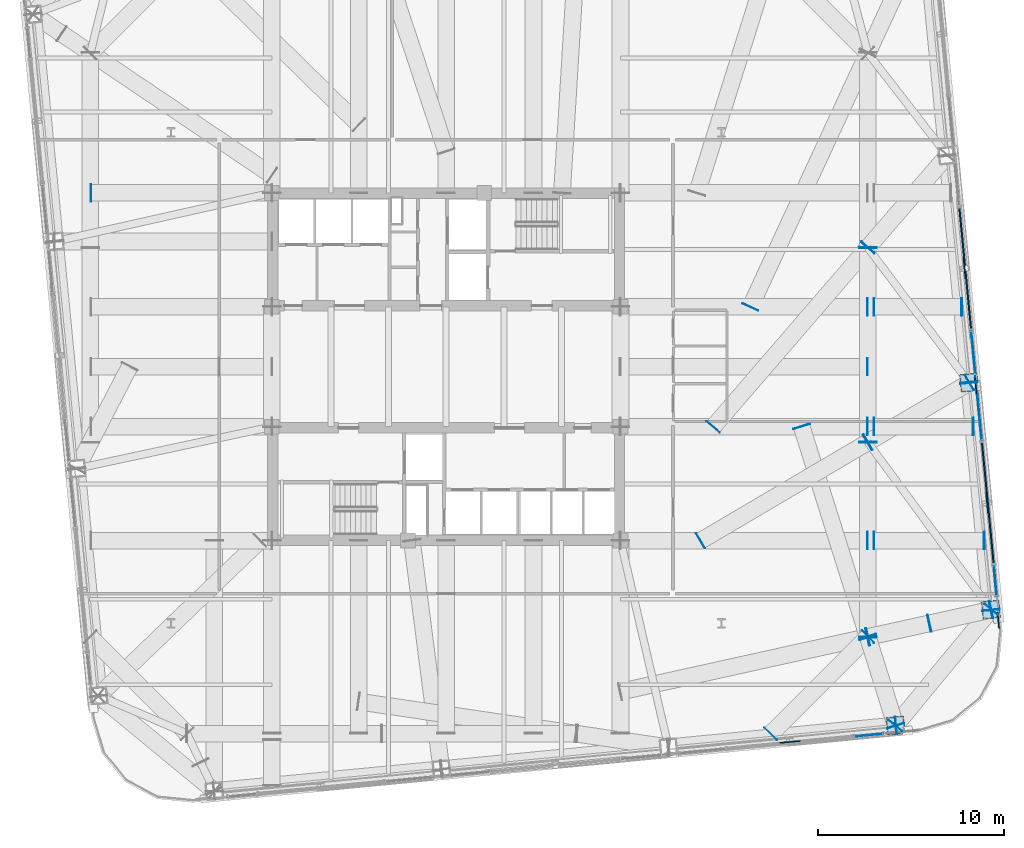
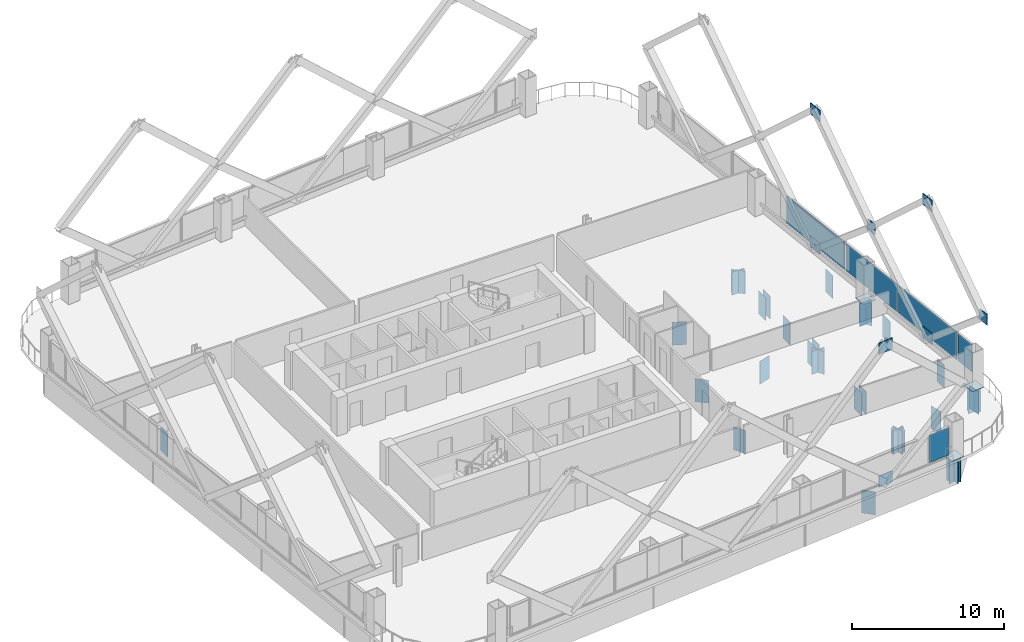
# One storey, part 35 of 42: 57 plates, 5 elements without a shape of their own.
"""IFC4 building model written with IfcOpenShell, lengths in metres."""

import ifcopenshell
import ifcopenshell.guid

model = None  # the IFC model being written
_history = None  # IfcOwnerHistory: only IFC2X3 demands one
_inside = {}  # id of a spatial element -> (the spatial element, [elements in it])
_under = {}  # id of a project, library or spatial element -> (it, [spatial elements below it])
_declared = {}  # id of a project -> (the project, [libraries it declares])
_typed = {}  # id of a type object -> (the type object, [elements of that type])
_made_of = {}  # id of a material, layer set ... -> (it, [elements and type objects made of it])


def new_model(schema):
    """Start an empty IFC model of exactly this schema.

    Asked for "IFC4X3", IfcOpenShell would pick the latest addendum, in which some entities
    have other attributes; the version numbers below select the first issue.
    IFC2X3 requires an IfcOwnerHistory on every rooted entity: one is made here for all.
    """
    global model, _history
    if schema == "IFC4X3":
        model = ifcopenshell.file(schema_version=(4, 3, 0, 0))
    else:
        model = ifcopenshell.file(schema=schema)
    _inside.clear()
    _under.clear()
    _declared.clear()
    _typed.clear()
    _made_of.clear()
    _history = None
    if model.schema == "IFC2X3":
        org = make("IfcOrganization", Name="unknown")
        user = make(
            "IfcPersonAndOrganization",
            ThePerson=make("IfcPerson", FamilyName="unknown"),
            TheOrganization=org,
        )
        app = make(
            "IfcApplication",
            ApplicationDeveloper=org,
            Version="unknown",
            ApplicationFullName="unknown",
            ApplicationIdentifier="unknown",
        )
        _history = make(
            "IfcOwnerHistory",
            OwningUser=user,
            OwningApplication=app,
            ChangeAction="ADDED",
            CreationDate=0,
        )
    return model


def make(cls, **values):
    """One entity of the class cls with the attributes given. An attribute that is None is left unset."""
    return model.create_entity(
        cls, **{name: value for name, value in values.items() if value is not None}
    )


def rooted(cls, **values):
    """An entity with a GlobalId (a new one), such as an element, a storey or a relation."""
    return make(cls, GlobalId=ifcopenshell.guid.new(), OwnerHistory=_history, **values)


def si_unit(unit_type, name, prefix=None):
    """IfcSIUnit, for example si_unit("LENGTHUNIT", "METRE", prefix="MILLI")."""
    return make("IfcSIUnit", UnitType=unit_type, Prefix=prefix, Name=name)


def assignment(units):
    """IfcUnitAssignment: the units of a project."""
    return None if units is None else make("IfcUnitAssignment", Units=units)


def point(xyz):
    """IfcCartesianPoint."""
    return None if xyz is None else make("IfcCartesianPoint", Coordinates=xyz)


def direction(xyz):
    """IfcDirection."""
    return None if xyz is None else make("IfcDirection", DirectionRatios=xyz)


def frame(location, z_axis=None, x_axis=None):
    """IfcAxis2Placement3D, a coordinate frame: its origin and axes. An axis left out is left unset."""
    return make(
        "IfcAxis2Placement3D",
        Location=point(location),
        Axis=direction(z_axis),
        RefDirection=direction(x_axis),
    )


def frame_2d(location, x_axis=None):
    """IfcAxis2Placement2D, a coordinate frame in the plane: its origin and x axis."""
    return make(
        "IfcAxis2Placement2D", Location=point(location), RefDirection=direction(x_axis)
    )


def origin():
    """The frame at (0, 0, 0) with its axes left unset."""
    return frame((0.0, 0.0, 0.0))


def origin_2d():
    """The frame at (0, 0) in the plane with its x axis left unset."""
    return frame_2d((0.0, 0.0))


def place(relative_to, where):
    """IfcLocalPlacement: puts the frame where relative to a parent placement (None: the world)."""
    return make(
        "IfcLocalPlacement", PlacementRelTo=relative_to, RelativePlacement=where
    )


def context(
    kind, dimensions, precision=None, world=None, true_north=None, identifier=None
):
    """IfcGeometricRepresentationContext, for example the 3D "Model" context."""
    return make(
        "IfcGeometricRepresentationContext",
        ContextIdentifier=identifier,
        ContextType=kind,
        CoordinateSpaceDimension=dimensions,
        Precision=precision,
        WorldCoordinateSystem=world,
        TrueNorth=true_north,
    )


def subcontext(parent, identifier, kind, view, scale=None):
    """IfcGeometricRepresentationSubContext, for example "Body" below "Model"."""
    return make(
        "IfcGeometricRepresentationSubContext",
        ContextIdentifier=identifier,
        ContextType=kind,
        ParentContext=parent,
        TargetScale=scale,
        TargetView=view,
    )


def project(units=None, contexts=None):
    """IfcProject with its units and contexts."""
    return rooted(
        "IfcProject",
        Name="project",
        RepresentationContexts=contexts,
        UnitsInContext=assignment(units),
    )


def spatial(cls, under=None, at=None, **own):
    """A site, building, storey or space (cls), placed at a placement, below another one or the project."""
    s = rooted(cls, ObjectPlacement=at, **own)
    if under is not None:
        _under.setdefault(under.id(), (under, []))[1].append(s)
    return s


def profile(cls, at=None, kind="AREA", **sizes):
    """A parametric profile (cls). Its sizes go by their IFC names, for example OverallWidth=200.0."""
    return make(cls, ProfileType=kind, Position=at, **sizes)


def rectangle(**sizes):
    """IfcRectangleProfileDef."""
    return profile("IfcRectangleProfileDef", **sizes)


def extrude(swept, where, along, depth):
    """IfcExtrudedAreaSolid: the profile swept, set in the frame where, extruded along a direction by depth."""
    return make(
        "IfcExtrudedAreaSolid",
        SweptArea=swept,
        Position=where,
        ExtrudedDirection=direction(along),
        Depth=depth,
    )


def shape(context_of_items, identifier, shape_type, items):
    """IfcShapeRepresentation: the items that make up one representation, for example the "Body"."""
    return make(
        "IfcShapeRepresentation",
        ContextOfItems=context_of_items,
        RepresentationIdentifier=identifier,
        RepresentationType=shape_type,
        Items=items,
    )


def material(Name=None, Category=None):
    """IfcMaterial."""
    return make("IfcMaterial", Name=Name, Category=Category)


def layer(
    of_material, thickness, ventilated=None, Name=None, Category=None, Priority=None
):
    """IfcMaterialLayer: one layer of a wall or slab, of a material (None: an air gap)."""
    return make(
        "IfcMaterialLayer",
        Material=of_material,
        LayerThickness=thickness,
        IsVentilated=ventilated,
        Name=Name,
        Category=Category,
        Priority=Priority,
    )


def layer_set(layers, Name=None):
    """IfcMaterialLayerSet."""
    return make("IfcMaterialLayerSet", MaterialLayers=layers, LayerSetName=Name)


def made_of(thing, what):
    """Note that an element or type object is made of a material, layer set ...; save() writes the relation."""
    if what is not None:
        _made_of.setdefault(what.id(), (what, []))[1].append(thing)
    return thing


def type_object(cls, material=None, **own):
    """A type object (cls), such as IfcWallType, which elements share."""
    return made_of(rooted(cls, **own), material)


def element(
    cls,
    number,
    at=None,
    inside=None,
    cuts=None,
    type_object=None,
    material=None,
    context=None,
    identifier="Body",
    shape_type=None,
    held_by="IfcProductDefinitionShape",
    body=None,
    shapes=None,
    **own,
):
    """One element of the class cls, such as IfcWall. Its Tag is "e" and its number.

    at: its placement. inside: the storey or other place that contains it. cuts: it is an
    opening in that element (IfcRelVoidsElement). A single representation is given by context,
    identifier, shape_type and body (its items); several are given by shapes. held_by: the class
    of the entity that holds the representations. save() writes the other relations.
    """
    e = rooted(cls, Tag="e%d" % number, ObjectPlacement=at, **own)
    if body is not None:
        shapes = [shape(context, identifier, shape_type, body)]
    if shapes is not None:
        e.Representation = make(held_by, Representations=shapes)
    if inside is not None:
        _inside.setdefault(inside.id(), (inside, []))[1].append(e)
    if cuts is not None:
        rooted(
            "IfcRelVoidsElement", RelatingBuildingElement=cuts, RelatedOpeningElement=e
        )
    if type_object is not None:
        _typed.setdefault(type_object.id(), (type_object, []))[1].append(e)
    return made_of(e, material)


def aggregate(whole, parts):
    """IfcRelAggregates: a whole, such as a stair, and the parts it consists of."""
    return rooted("IfcRelAggregates", RelatingObject=whole, RelatedObjects=parts)


def save(model, path):
    """Write the relations noted so far, then the file.

    IfcRelAggregates (storeys below a building ...), IfcRelContainedInSpatialStructure (elements
    in a storey), IfcRelDefinesByType, IfcRelAssociatesMaterial and IfcRelDeclares: one each for
    every whole, place, type object, material and project.
    """
    for whole, parts in _under.values():
        aggregate(whole, parts)
    for where, things in _inside.values():
        rooted(
            "IfcRelContainedInSpatialStructure",
            RelatedElements=things,
            RelatingStructure=where,
        )
    for kind, things in _typed.values():
        rooted("IfcRelDefinesByType", RelatedObjects=things, RelatingType=kind)
    for what, things in _made_of.values():
        rooted("IfcRelAssociatesMaterial", RelatedObjects=things, RelatingMaterial=what)
    for by, libraries in _declared.values():
        rooted("IfcRelDeclares", RelatingContext=by, RelatedDefinitions=libraries)
    model.write(path)


model = new_model("IFC4")

# Units and contexts
model_context = context("Model", 3, precision=1e-05, world=origin(), true_north=direction((0.0, 1.0)))
body_context = subcontext(model_context, "Body", "Model", "MODEL_VIEW")
ifc_project = project(units=[si_unit("LENGTHUNIT", "METRE"), si_unit("AREAUNIT", "SQUARE_METRE"), si_unit("VOLUMEUNIT", "CUBIC_METRE"), si_unit("PLANEANGLEUNIT", "RADIAN"), si_unit("MASSUNIT", "GRAM", prefix="KILO")], contexts=[model_context])

# Site, building, storey
site_placement = place(None, origin())
site = spatial("IfcSite", under=ifc_project, at=site_placement, CompositionType="ELEMENT")
building_placement = place(site_placement, origin())
building = spatial("IfcBuilding", under=site, at=building_placement, Name="Qhalaya Broadcast Tower", CompositionType="ELEMENT")
storey_placement = place(building_placement, frame((0.0, 0.0, 69.449951171875)))
storey = spatial("IfcBuildingStorey", under=building, at=storey_placement, Name="L19", CompositionType="ELEMENT", Elevation=69.449951171875)

# Plates
ifc_material_1 = material(Name="Structural Steel ASTM A572 Grade 50", Category="steel")
ifc_layer_1 = layer(ifc_material_1, 0.054931640625, Name="Structural Steel ASTM A572 Grade 50")
ifc_layer_set_1 = layer_set([ifc_layer_1], Name="Structural Steel ASTM A572 Grade 50")
plate_type_1 = type_object("IfcPlateType", Name="Exoskeleton Diamond Node Gusset Plate NP-01", PredefinedType="USERDEFINED", material=ifc_layer_set_1)
for number, where, z_axis, x_axis, name in (
    (1, (18.49072265625, -19.573486328125, 0.210205078125), (0.0, 0.0, 1.0), (0.995396198367, 0.09584575252, 0.0), "Exoskeleton Diamond Node B2-S3-BOT"),
    (2, (18.49072265625, -19.573486328125, 10.85009765625), (0.0, 0.0, 1.0), (0.995396198367, 0.09584575252, 0.0), "Exoskeleton Diamond Node B2-S3-TOP"),
    (3, (29.08154296875, -6.725830078125, 0.210205078125), (0.0, 0.0, 1.0), (-0.09584575252, 0.995396198367, 0.0), "Exoskeleton Diamond Node B2-E1-BOT"),
    (4, (29.08154296875, -6.725830078125, 10.85009765625), (0.0, 0.0, 1.0), (-0.09584575252, 0.995396198367, 0.0), "Exoskeleton Diamond Node B2-E1-TOP"),
):
    element("IfcPlate", number, at=place(storey_placement, frame(where, z_axis=z_axis, x_axis=x_axis)), inside=storey, type_object=plate_type_1, Name=name, ObjectType="GUSSET_PLATE", PredefinedType="USERDEFINED", context=body_context, shape_type="SweptSolid", body=[
        extrude(rectangle(XDim=1.10009765625, YDim=0.054931640625, at=origin_2d()), origin(), (0.0, 0.0, 1.0), 0.89990234375),
    ])
plate_1_placement = place(storey_placement, frame((29.688720703125, -13.030029296875, 5.31494140625), z_axis=(0.0, 0.0, 1.0), x_axis=(-0.09584575252, 0.995396198367, 0.0)))
element("IfcPlate", 5, at=plate_1_placement, inside=storey, type_object=plate_type_1, Name="Exoskeleton Diamond Node B2-E1-MDL", ObjectType="GUSSET_PLATE", PredefinedType="USERDEFINED", context=body_context, shape_type="SweptSolid", body=[
    extrude(rectangle(XDim=0.85009765625, YDim=0.054931640625, at=origin_2d()), origin(), (0.0, 0.0, 1.0), 0.85009765625),
])
for number, where, z_axis, x_axis, name in (
    (6, (27.867431640625, 5.882568359375, 0.210205078125), (0.0, 0.0, 1.0), (-0.09584575252, 0.995396198367, 0.0), "Exoskeleton Diamond Node B2-E2-BOT"),
    (7, (27.867431640625, 5.882568359375, 10.85009765625), (0.0, 0.0, 1.0), (-0.09584575252, 0.995396198367, 0.0), "Exoskeleton Diamond Node B2-E2-TOP"),
):
    element("IfcPlate", number, at=place(storey_placement, frame(where, z_axis=z_axis, x_axis=x_axis)), inside=storey, type_object=plate_type_1, Name=name, ObjectType="GUSSET_PLATE", PredefinedType="USERDEFINED", context=body_context, shape_type="SweptSolid", body=[
        extrude(rectangle(XDim=1.10009765625, YDim=0.054931640625, at=origin_2d()), origin(), (0.0, 0.0, 1.0), 0.89990234375),
    ])
plate_2_placement = place(storey_placement, frame((28.474609375, -0.421630859375, 5.31494140625), z_axis=(0.0, 0.0, 1.0), x_axis=(-0.09584575252, 0.995396198367, 0.0)))
element("IfcPlate", 8, at=plate_2_placement, inside=storey, type_object=plate_type_1, Name="Exoskeleton Diamond Node B2-E2-MDL", ObjectType="GUSSET_PLATE", PredefinedType="USERDEFINED", context=body_context, shape_type="SweptSolid", body=[
    extrude(rectangle(XDim=0.85009765625, YDim=0.054931640625, at=origin_2d()), origin(), (0.0, 0.0, 1.0), 0.85009765625),
])
ifc_layer_2 = layer(ifc_material_1, 0.4599609375, Name="Structural Steel ASTM A572 Grade 50")
ifc_layer_set_2 = layer_set([ifc_layer_2], Name="Structural Steel ASTM A572 Grade 50")
plate_type_2 = type_object("IfcPlateType", Name="Hollow Box Member End Cap Plate CP-01", PredefinedType="USERDEFINED", material=ifc_layer_set_2)
for number, where, z_axis, x_axis, name in (
    (9, (24.18115234375, -18.68408203125, -2.0400390625), (0.0, 0.0, 1.0), (-0.09584575252, 0.995396198367, 0.0), "L19 Hollow Girder End Cap L19-SPR-03-B"),
    (10, (24.155029296875, -18.69775390625, -2.0400390625), (0.0, 0.0, 1.0), (-0.771624583388, 0.636078220278, 0.0), "L19 Hollow Girder End Cap L19-SPR-04-A"),
    (11, (29.302734375, -12.453125, -2.0400390625), (0.0, 0.0, 1.0), (-0.771624583388, 0.636078220278, 0.0), "L19 Hollow Girder End Cap L19-SPR-04-B"),
    (12, (29.294189453125, -12.481201171875, -2.0400390625), (0.0, 0.0, 1.0), (-0.995396198367, -0.09584575252, 0.0), "L19 Hollow Girder End Cap L19-SPR-05-A"),
    (13, (28.115478515625, -0.2392578125, -2.0400390625), (0.0, 0.0, 1.0), (-0.995396198367, -0.09584575252, 0.0), "L19 Hollow Girder End Cap L19-SPR-05-B"),
    (14, (28.118408203125, -0.27099609375, -2.0400390625), (0.0, 0.0, 1.0), (-0.995396198367, -0.09584575252, 0.0), "L19 Hollow Girder End Cap L19-SPR-06-A"),
    (15, (17.458740234375, -19.141357421875, -2.0400390625), (0.0, 0.0, 1.0), (-0.707106781187, 0.707106781187, 0.0), "L19 Hollow Girder End Cap L19-TGL-04-A"),
    (16, (22.681396484375, -13.918701171875, -2.0400390625), (0.0, 0.0, 1.0), (-0.707106781187, 0.707106781187, 0.0), "L19 Hollow Girder End Cap L19-TGL-04-B"),
    (17, (22.669921875, -13.946044921875, -2.0400390625), (0.0, 0.0, 1.0), (-1.0, 0.0, 0.0), "L19 Hollow Girder End Cap L19-TGL-05-A"),
    (18, (22.669921875, -3.447265625, -2.0400390625), (0.0, 0.0, 1.0), (-1.0, 0.0, 0.0), "L19 Hollow Girder End Cap L19-TGL-05-B"),
    (19, (22.669921875, -3.479248046875, -2.0400390625), (0.0, 0.0, 1.0), (-1.0, 0.0, 0.0), "L19 Hollow Girder End Cap L19-TGL-06-A"),
    (20, (22.669921875, 7.019287109375, -2.0400390625), (0.0, 0.0, 1.0), (-1.0, 0.0, 0.0), "L19 Hollow Girder End Cap L19-TGL-06-B"),
    (21, (22.669921875, 6.9873046875, -2.0400390625), (0.0, 0.0, 1.0), (-1.0, 0.0, 0.0), "L19 Hollow Girder End Cap L19-TGL-07-A"),
    (22, (22.64599609375, 0.60009765625, -2.0400390625), (0.0, 0.0, 1.0), (0.0, 1.0, 0.0), "L19 Hollow Girder End Cap L19-TGIYE-1-B"),
    (23, (22.64599609375, -8.75, -2.0400390625), (0.0, 0.0, 1.0), (0.0, 1.0, 0.0), "L19 Hollow Girder End Cap L19-TGIY1E-1-B"),
    (24, (22.64599609375, -2.625, -2.0400390625), (0.0, 0.0, 1.0), (0.0, 1.0, 0.0), "L19 Hollow Girder End Cap L19-TGIY2E-1-B"),
    (25, (22.64599609375, 3.824951171875, -2.0400390625), (0.0, 0.0, 1.0), (0.0, 1.0, 0.0), "L19 Hollow Girder End Cap L19-TGIY3E-1-B"),
    (26, (-19.10595703125, 9.949951171875, -2.0400390625), (0.0, 0.0, 1.0), (0.0, 1.0, 0.0), "L19 Hollow Girder End Cap L19-TGIY4W-1-A"),
    (27, (19.110595703125, -2.609619140625, -2.0400390625), (0.0, 0.0, 1.0), (0.953958065442, 0.299940009631, 0.0), "L19 Hollow Girder End Cap L19-TGA-04-A"),
    (28, (22.6748046875, -13.9453125, -2.0400390625), (0.0, 0.0, 1.0), (0.953958065442, 0.299940009631, 0.0), "L19 Hollow Girder End Cap L19-TGA-04-B"),
    (29, (22.665283203125, -13.914794921875, -2.0400390625), (0.0, 0.0, 1.0), (0.953958065442, 0.299940009631, 0.0), "L19 Hollow Girder End Cap L19-TGC-04-A"),
    (30, (24.169921875, -18.70068359375, -2.0400390625), (0.0, 0.0, 1.0), (0.953958065442, 0.299940009631, 0.0), "L19 Hollow Girder End Cap L19-TGC-04-B"),
    (31, (22.685546875, -13.926513671875, -2.0400390625), (0.0, 0.0, 1.0), (-0.215928396898, 0.976409200803, 0.0), "L19 Hollow Girder End Cap L19-TGA-05-B"),
    (32, (22.654296875, -13.93359375, -2.0400390625), (0.0, 0.0, 1.0), (-0.215928396898, 0.976409200803, 0.0), "L19 Hollow Girder End Cap L19-TGC-05-A"),
    (33, (29.30810546875, -12.4619140625, -2.0400390625), (0.0, 0.0, 1.0), (-0.215928396898, 0.976409200803, 0.0), "L19 Hollow Girder End Cap L19-TGC-05-B"),
):
    element("IfcPlate", number, at=place(storey_placement, frame(where, z_axis=z_axis, x_axis=x_axis)), inside=storey, type_object=plate_type_2, Name=name, ObjectType="COVER_PLATE", PredefinedType="USERDEFINED", context=body_context, shape_type="SweptSolid", body=[
        extrude(rectangle(XDim=0.93994140625, YDim=0.031982421875, at=origin_2d()), origin(), (0.0, 0.0, 1.0), 1.840087890625),
    ])
plate_3_placement = place(storey_placement, frame((29.29248046875, -12.46533203125, -2.02001953125), z_axis=(0.0, 0.0, 1.0), x_axis=(-0.215928396898, 0.976409200803, 0.0)))
element("IfcPlate", 34, at=plate_3_placement, inside=storey, type_object=plate_type_2, Name="L19 Transfer Box End Cap 05", ObjectType="COVER_PLATE", PredefinedType="USERDEFINED", context=body_context, shape_type="SweptSolid", body=[
    extrude(rectangle(XDim=0.919921875, YDim=0.035888671875, at=origin_2d()), origin(), (0.0, 0.0, 1.0), 1.800048828125),
])
for number, where, z_axis, x_axis, name in (
    (35, (13.68017578125, -8.758056640625, -2.0400390625), (0.0, 0.0, 1.0), (-0.507493247468, 0.861655733907, 0.0), "L19 Hollow Girder End Cap L19-TGA-06-A"),
    (36, (22.683837890625, -3.455078125, -2.0400390625), (0.0, 0.0, 1.0), (-0.507493247468, 0.861655733907, 0.0), "L19 Hollow Girder End Cap L19-TGA-06-B"),
    (37, (22.65625, -3.471435546875, -2.0400390625), (0.0, 0.0, 1.0), (-0.507493247468, 0.861655733907, 0.0), "L19 Hollow Girder End Cap L19-TGC-06-A"),
    (38, (28.130615234375, -0.2470703125, -2.0400390625), (0.0, 0.0, 1.0), (-0.507493247468, 0.861655733907, 0.0), "L19 Hollow Girder End Cap L19-TGC-06-B"),
    (39, (14.3544921875, -2.63720703125, -2.0400390625), (0.0, 0.0, 1.0), (-0.757223096347, 0.653156323064, 0.0), "L19 Hollow Girder End Cap L19-TGA-07-A"),
    (40, (22.680419921875, 7.015380859375, -2.0400390625), (0.0, 0.0, 1.0), (-0.757223096347, 0.653156323064, 0.0), "L19 Hollow Girder End Cap L19-TGA-07-B"),
    (41, (22.659423828125, 6.9912109375, -2.0400390625), (0.0, 0.0, 1.0), (-0.757223096347, 0.653156323064, 0.0), "L19 Hollow Girder End Cap L19-TGC-07-A"),
    (42, (16.3544921875, 3.810546875, -2.0400390625), (0.0, 0.0, 1.0), (-0.907682284509, 0.419658039824, 0.0), "L19 Hollow Girder End Cap L19-TGA-08-A"),
    (43, (22.993896484375, -8.75, -2.0400390625), (0.0, 0.0, 1.0), (0.0, 1.0, 0.0), "L19 Hollow Girder End Cap L19-PGYE1-OV1-A"),
    (44, (28.930908203125, -8.75, -2.0400390625), (0.0, 0.0, 1.0), (0.0, 1.0, 0.0), "L19 Hollow Girder End Cap L19-PGYE1-OV1-B"),
    (45, (22.993896484375, -2.625, -2.0400390625), (0.0, 0.0, 1.0), (0.0, 1.0, 0.0), "L19 Hollow Girder End Cap L19-PGYE2-OV1-A"),
    (46, (28.341064453125, -2.625, -2.0400390625), (0.0, 0.0, 1.0), (0.0, 1.0, 0.0), "L19 Hollow Girder End Cap L19-PGYE2-OV1-B"),
    (47, (22.993896484375, 3.824951171875, -2.0400390625), (0.0, 0.0, 1.0), (0.0, 1.0, 0.0), "L19 Hollow Girder End Cap L19-PGYE3-OV1-A"),
    (48, (27.719970703125, 3.824951171875, -2.0400390625), (0.0, 0.0, 1.0), (0.0, 1.0, 0.0), "L19 Hollow Girder End Cap L19-PGYE3-OV1-B"),
):
    element("IfcPlate", number, at=place(storey_placement, frame(where, z_axis=z_axis, x_axis=x_axis)), inside=storey, type_object=plate_type_2, Name=name, ObjectType="COVER_PLATE", PredefinedType="USERDEFINED", context=body_context, shape_type="SweptSolid", body=[
        extrude(rectangle(XDim=0.93994140625, YDim=0.031982421875, at=origin_2d()), origin(), (0.0, 0.0, 1.0), 1.840087890625),
    ])
for number, where, z_axis, x_axis, name in (
    (49, (24.165283203125, -18.685546875, -0.03173828125), (0.0, 0.0, 1.0), (0.995396198367, 0.09584575252, 0.0), "L19 Hollow Box Column Base Cap Plate COL-EX04"),
    (50, (29.29248046875, -12.46533203125, -0.03173828125), (0.0, 0.0, 1.0), (-0.09584575252, 0.995396198367, 0.0), "L19 Hollow Box Column Base Cap Plate COL-EX05"),
    (51, (28.116943359375, -0.255126953125, -0.03173828125), (0.0, 0.0, 1.0), (-0.09584575252, 0.995396198367, 0.0), "L19 Hollow Box Column Base Cap Plate COL-EX06"),
):
    element("IfcPlate", number, at=place(storey_placement, frame(where, z_axis=z_axis, x_axis=x_axis)), inside=storey, type_object=plate_type_2, Name=name, ObjectType="COVER_PLATE", PredefinedType="USERDEFINED", context=body_context, shape_type="SweptSolid", body=[
        extrude(rectangle(XDim=0.93994140625, YDim=0.93994140625, at=origin_2d()), origin(), (0.0, 0.0, 1.0), 0.031982421875),
    ])

# Curtain wall, plate
ifc_material_2 = material(Name="Fired Architectural Terracotta", Category="masonry")
ifc_layer_3 = layer(ifc_material_2, 0.219970703125, Name="Fired Architectural Terracotta")
ifc_layer_set_3 = layer_set([ifc_layer_3], Name="Fired Architectural Terracotta")
curtain_wall_type_1 = type_object("IfcCurtainWallType", Name="Block-Cap Unitised Terracotta Spandrel Wall CW-07", PredefinedType="NOTDEFINED", material=ifc_layer_set_3)
curtain_wall_1_placement = place(storey_placement, origin())
curtain_wall_1 = element("IfcCurtainWall", 52, at=curtain_wall_1_placement, inside=storey, type_object=curtain_wall_type_1, Name="L19 Unitised Curtain Wall L19-CW-E2", PredefinedType="NOTDEFINED")
ifc_layer_4 = layer(ifc_material_2, 0.080078125, Name="Fired Architectural Terracotta")
ifc_layer_set_4 = layer_set([ifc_layer_4], Name="Fired Architectural Terracotta")
plate_type_3 = type_object("IfcPlateType", Name="Insulated Terracotta Spandrel Panel TSP-07", PredefinedType="CURTAIN_PANEL", material=ifc_layer_set_4)
plate_4_placement = place(storey_placement, frame((29.121337890625, -6.721923828125, 0.55517578125), z_axis=(0.0, 0.0, 1.0), x_axis=(-0.095856535899, 0.995395159987, 0.0)))
plate_4 = element("IfcPlate", 53, at=plate_4_placement, type_object=plate_type_3, Name="CW-07 panel 1.1", PredefinedType="CURTAIN_PANEL", context=body_context, shape_type="SweptSolid", body=[
    extrude(rectangle(XDim=6.51318359375, YDim=0.080078125, at=origin_2d()), origin(), (0.0, 0.0, 1.0), 2.199951171875),
])
aggregate(curtain_wall_1, [plate_4])

curtain_wall_2_placement = place(storey_placement, origin())
curtain_wall_2 = element("IfcCurtainWall", 54, at=curtain_wall_2_placement, inside=storey, type_object=curtain_wall_type_1, Name="L19 Unitised Curtain Wall L19-CW-E4", PredefinedType="NOTDEFINED")
plate_5_placement = place(storey_placement, frame((27.9072265625, 5.88623046875, 0.55517578125), z_axis=(0.0, 0.0, 1.0), x_axis=(-0.095857417835, 0.995395075056, 0.0)))
plate_5 = element("IfcPlate", 55, at=plate_5_placement, type_object=plate_type_3, Name="CW-07 panel 1.1", PredefinedType="CURTAIN_PANEL", context=body_context, shape_type="SweptSolid", body=[
    extrude(rectangle(XDim=6.511962890625, YDim=0.080078125, at=origin_2d()), origin(), (0.0, 0.0, 1.0), 2.199951171875),
])
aggregate(curtain_wall_2, [plate_5])

ifc_material_3 = material(Name="Solar-Control Low-E Triple Glazing", Category="glass")
ifc_layer_5 = layer(ifc_material_3, 0.219970703125, Name="Solar-Control Low-E Triple Glazing")
ifc_layer_set_5 = layer_set([ifc_layer_5], Name="Solar-Control Low-E Triple Glazing")
curtain_wall_type_2 = type_object("IfcCurtainWallType", Name="Even-Block 4-Storey Double-Module Curtain Wall CW-03", PredefinedType="NOTDEFINED", material=ifc_layer_set_5)
curtain_wall_3_placement = place(storey_placement, origin())
curtain_wall_3 = element("IfcCurtainWall", 56, at=curtain_wall_3_placement, inside=storey, type_object=curtain_wall_type_2, Name="L19 Unitised Curtain Wall L19-CW-S7", PredefinedType="NOTDEFINED")
ifc_layer_6 = layer(ifc_material_3, 0.035888671875, Name="Solar-Control Low-E Triple Glazing")
ifc_layer_set_6 = layer_set([ifc_layer_6], Name="Solar-Control Low-E Triple Glazing")
plate_type_4 = type_object("IfcPlateType", Name="Solar-Control Curtain Glazing Panel GLP-03", PredefinedType="CURTAIN_PANEL", material=ifc_layer_set_6)
plate_6_placement = place(storey_placement, frame((22.727294921875, -19.20556640625, 0.55517578125), z_axis=(0.0, 0.0, 1.0), x_axis=(0.995396232884, 0.095845394047, 0.0)))
plate_6 = element("IfcPlate", 57, at=plate_6_placement, type_object=plate_type_4, Name="CW-03 panel 1.1", PredefinedType="CURTAIN_PANEL", context=body_context, shape_type="SweptSolid", body=[
    extrude(rectangle(XDim=1.511962890625, YDim=0.035888671875, at=origin_2d()), origin(), (0.0, 0.0, 1.0), 2.199951171875),
])
aggregate(curtain_wall_3, [plate_6])

curtain_wall_4_placement = place(storey_placement, origin())
curtain_wall_4 = element("IfcCurtainWall", 58, at=curtain_wall_4_placement, inside=storey, type_object=curtain_wall_type_2, Name="L19 Unitised Curtain Wall L19-CW-E1", PredefinedType="NOTDEFINED")
plate_7_placement = place(storey_placement, frame((29.524658203125, -10.91015625, 0.55517578125), z_axis=(0.0, 0.0, 1.0), x_axis=(-0.095835306252, 0.995397204173, 0.0)))
plate_7 = element("IfcPlate", 59, at=plate_7_placement, type_object=plate_type_4, Name="CW-03 panel 1.1", PredefinedType="CURTAIN_PANEL", context=body_context, shape_type="SweptSolid", body=[
    extrude(rectangle(XDim=1.60205078125, YDim=0.035888671875, at=origin_2d()), origin(), (0.0, 0.0, 1.0), 2.199951171875),
])
aggregate(curtain_wall_4, [plate_7])

curtain_wall_5_placement = place(storey_placement, origin())
curtain_wall_5 = element("IfcCurtainWall", 60, at=curtain_wall_5_placement, inside=storey, type_object=curtain_wall_type_2, Name="L19 Unitised Curtain Wall L19-CW-E3", PredefinedType="NOTDEFINED")
plate_8_placement = place(storey_placement, frame((28.514404296875, -0.41748046875, 0.55517578125), z_axis=(0.0, 0.0, 1.0), x_axis=(-0.095837131698, 0.99539702842, 0.0)))
plate_8 = element("IfcPlate", 61, at=plate_8_placement, type_object=plate_type_4, Name="CW-03 panel 1.1", PredefinedType="CURTAIN_PANEL", context=body_context, shape_type="SweptSolid", body=[
    extrude(rectangle(XDim=5.85400390625, YDim=0.035888671875, at=origin_2d()), origin(), (0.0, 0.0, 1.0), 2.199951171875),
])
aggregate(curtain_wall_5, [plate_8])

# Plate
ifc_layer_7 = layer(ifc_material_1, 0.044921875, Name="Structural Steel ASTM A572 Grade 50")
ifc_layer_set_7 = layer_set([ifc_layer_7], Name="Structural Steel ASTM A572 Grade 50")
plate_type_5 = type_object("IfcPlateType", Name="Transfer Girder Web Stiffener Plate WS-01", PredefinedType="USERDEFINED", material=ifc_layer_set_7)
plate_9_placement = place(storey_placement, frame((25.981201171875, -13.19775390625, -2.02001953125), z_axis=(0.0, 0.0, 1.0), x_axis=(-0.215928396898, 0.976409200803, 0.0)))
element("IfcPlate", 62, at=plate_9_placement, inside=storey, type_object=plate_type_5, Name="L19 Transfer Girder Stiffener 05", ObjectType="STIFFENER_PLATE", PredefinedType="USERDEFINED", context=body_context, shape_type="SweptSolid", body=[
    extrude(rectangle(XDim=0.93994140625, YDim=0.044921875, at=origin_2d()), origin(), (0.0, 0.0, 1.0), 1.800048828125),
])

save(model, "model.ifc")
